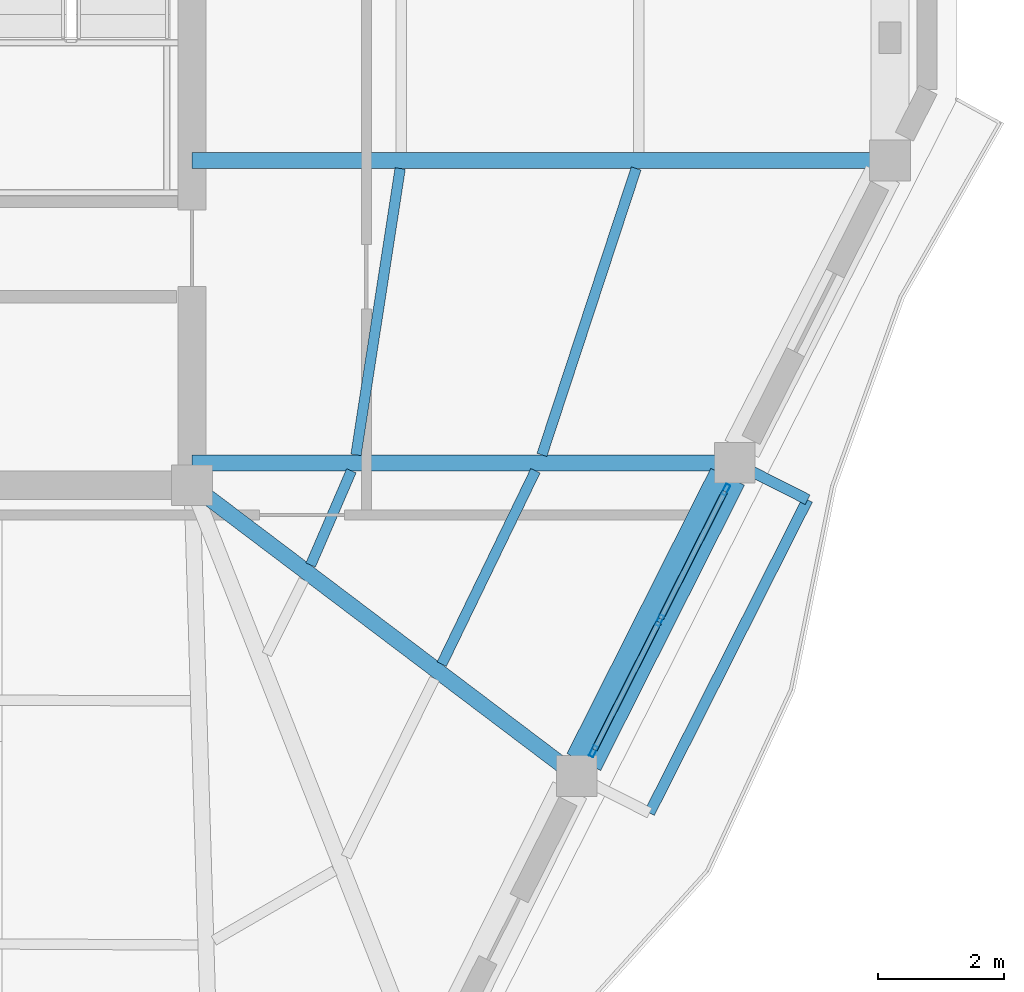
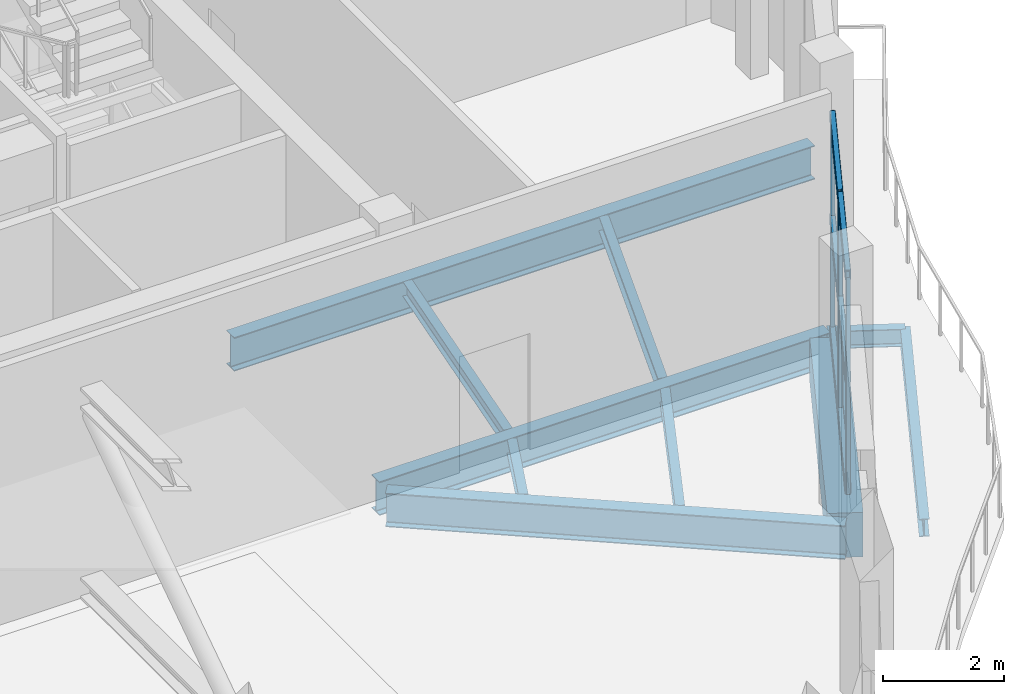
# One storey, part 10 of 23: 10 beams, 9 members, 1 element without a shape of its own.
"""IFC4 building model written with IfcOpenShell, lengths in metres."""

from ifc_helpers import new_model, si_unit, direction, frame, origin, origin_2d, place, context, subcontext, project, spatial, rectangle, hollow_rectangle, i_section, extrude, material, layer, layer_set, material_profile, profile_set, type_object, element, aggregate, save


model = new_model("IFC4")

# Units and contexts
model_context = context("Model", 3, precision=1e-05, world=origin(), true_north=direction((0.0, 1.0)))
body_context = subcontext(model_context, "Body", "Model", "MODEL_VIEW")
ifc_project = project(units=[si_unit("LENGTHUNIT", "METRE"), si_unit("AREAUNIT", "SQUARE_METRE"), si_unit("VOLUMEUNIT", "CUBIC_METRE"), si_unit("PLANEANGLEUNIT", "RADIAN"), si_unit("MASSUNIT", "GRAM", prefix="KILO")], contexts=[model_context])

# Site, building, storey
site_placement = place(None, origin())
site = spatial("IfcSite", under=ifc_project, at=site_placement, CompositionType="ELEMENT")
building_placement = place(site_placement, origin())
building = spatial("IfcBuilding", under=site, at=building_placement, Name="Cinnabar Lancet Tower", CompositionType="ELEMENT")
storey_placement = place(building_placement, frame((0.0, 0.0, 278.10009765625)))
storey = spatial("IfcBuildingStorey", under=building, at=storey_placement, Name="L74", CompositionType="ELEMENT", Elevation=278.10009765625)

# Curtain wall, members
ifc_material_1 = material(Name="Thermally broken bronze-anodized aluminium and low-E glass", Category="aluminium")
ifc_layer = layer(ifc_material_1, 0.179931640625)
ifc_layer_set = layer_set([ifc_layer], Name="Thermally broken bronze-anodized aluminium and low-E glass")
curtain_wall_type = type_object("IfcCurtainWallType", Name="ENV-CW-SYS-04", PredefinedType="NOTDEFINED", material=ifc_layer_set)
curtain_wall_placement = place(storey_placement, origin())
curtain_wall = element("IfcCurtainWall", 1, at=curtain_wall_placement, inside=storey, type_object=curtain_wall_type, Name="L74 Face 2 Feature Curtain Wall", PredefinedType="NOTDEFINED")
ifc_material_2 = material(Name="Anodized architectural aluminium 6063-T6", Category="aluminium")
ifc_material_profile_1 = material_profile(ifc_material_2, hollow_rectangle(XDim=0.074951171875, YDim=0.179931640625, WallThickness=0.00390625, InnerFilletRadius=0.001953125, OuterFilletRadius=0.006103515625, at=origin_2d()), Name="CW-MUL 180x75x4")
ifc_profile_set_1 = profile_set([ifc_material_profile_1], Name="Anodized architectural aluminium 6063-T6")
member_type_1 = type_object("IfcMemberType", Name="ENV-CW-MUL-180", PredefinedType="MULLION", material=ifc_profile_set_1)
member_1_placement = place(storey_placement, frame((48.015625, 14.439697265625, 0.0), z_axis=(0.0, 0.0, 1.0), x_axis=(-0.892344822897, 0.451354314314, 0.0)))
member_1 = element("IfcMember", 2, at=member_1_placement, type_object=member_type_1, Name="CW-04 mullion 1", PredefinedType="MULLION", context=body_context, shape_type="SweptSolid", body=[
    extrude(hollow_rectangle(XDim=0.074951171875, YDim=0.179931640625, WallThickness=0.00390625, InnerFilletRadius=0.001953125, OuterFilletRadius=0.006103515625, at=origin_2d()), origin(), (0.0, 0.0, 1.0), 4.389892578125),
])
member_2_placement = place(storey_placement, frame((49.069091796875, 16.5224609375, 0.0), z_axis=(0.0, 0.0, 1.0), x_axis=(-0.892344822897, 0.451354314314, 0.0)))
member_2 = element("IfcMember", 3, at=member_2_placement, type_object=member_type_1, Name="CW-04 mullion 2", PredefinedType="MULLION", context=body_context, shape_type="SweptSolid", body=[
    extrude(hollow_rectangle(XDim=0.074951171875, YDim=0.179931640625, WallThickness=0.00390625, InnerFilletRadius=0.001953125, OuterFilletRadius=0.006103515625, at=origin_2d()), origin(), (0.0, 0.0, 1.0), 4.389892578125),
])
member_3_placement = place(storey_placement, frame((50.12255859375, 18.605224609375, 0.0), z_axis=(0.0, 0.0, 1.0), x_axis=(-0.892344822897, 0.451354314314, 0.0)))
member_3 = element("IfcMember", 4, at=member_3_placement, type_object=member_type_1, Name="CW-04 mullion 3", PredefinedType="MULLION", context=body_context, shape_type="SweptSolid", body=[
    extrude(hollow_rectangle(XDim=0.074951171875, YDim=0.179931640625, WallThickness=0.00390625, InnerFilletRadius=0.001953125, OuterFilletRadius=0.006103515625, at=origin_2d()), origin(), (0.0, 0.0, 1.0), 4.389892578125),
])
ifc_material_3 = material(Name="Anodized architectural aluminium 6063-T6", Category="aluminium")
ifc_material_profile_2 = material_profile(ifc_material_3, hollow_rectangle(XDim=0.10009765625, YDim=0.199951171875, WallThickness=0.008056640625, InnerFilletRadius=0.00390625, OuterFilletRadius=0.011962890625, at=origin_2d()), Name="RHS 200x100x8")
ifc_profile_set_2 = profile_set([ifc_material_profile_2], Name="Anodized architectural aluminium 6063-T6")
member_type_2 = type_object("IfcMemberType", Name="ENV-CW-TRN-140", PredefinedType="USERDEFINED", material=ifc_profile_set_2)
member_4_placement = place(storey_placement, frame((48.029052734375, 14.466552734375, 0.02978515625), z_axis=(0.451331377237, 0.892356424262, 0.0), x_axis=(-0.892356424262, 0.451331377237, 0.0)))
member_4 = element("IfcMember", 5, at=member_4_placement, type_object=member_type_2, Name="CW-04 transom 1.1", ObjectType="TRANSOM", PredefinedType="USERDEFINED", context=body_context, shape_type="SweptSolid", body=[
    extrude(hollow_rectangle(XDim=0.10009765625, YDim=0.199951171875, WallThickness=0.008056640625, InnerFilletRadius=0.00390625, OuterFilletRadius=0.011962890625, at=origin_2d()), origin(), (0.0, 0.0, 1.0), 2.274169921875),
])
member_5_placement = place(storey_placement, frame((48.029052734375, 14.466552734375, 2.282958984375), z_axis=(0.451331377237, 0.892356424262, 0.0), x_axis=(-0.892356424262, 0.451331377237, 0.0)))
member_5 = element("IfcMember", 6, at=member_5_placement, type_object=member_type_2, Name="CW-04 transom 1.2", ObjectType="TRANSOM", PredefinedType="USERDEFINED", context=body_context, shape_type="SweptSolid", body=[
    extrude(hollow_rectangle(XDim=0.10009765625, YDim=0.199951171875, WallThickness=0.008056640625, InnerFilletRadius=0.00390625, OuterFilletRadius=0.011962890625, at=origin_2d()), origin(), (0.0, 0.0, 1.0), 2.274169921875),
])
member_6_placement = place(storey_placement, frame((48.029052734375, 14.466552734375, 4.35986328125), z_axis=(0.451331377237, 0.892356424262, 0.0), x_axis=(-0.892356424262, 0.451331377237, 0.0)))
member_6 = element("IfcMember", 7, at=member_6_placement, type_object=member_type_2, Name="CW-04 transom 1.3", ObjectType="TRANSOM", PredefinedType="USERDEFINED", context=body_context, shape_type="SweptSolid", body=[
    extrude(hollow_rectangle(XDim=0.10009765625, YDim=0.199951171875, WallThickness=0.008056640625, InnerFilletRadius=0.00390625, OuterFilletRadius=0.011962890625, at=origin_2d()), origin(), (0.0, 0.0, 1.0), 2.274169921875),
])
member_7_placement = place(storey_placement, frame((49.08251953125, 16.54931640625, 0.02978515625), z_axis=(0.45137461896, 0.892334552373, 0.0), x_axis=(-0.892334552373, 0.45137461896, 0.0)))
member_7 = element("IfcMember", 8, at=member_7_placement, type_object=member_type_2, Name="CW-04 transom 2.1", ObjectType="TRANSOM", PredefinedType="USERDEFINED", context=body_context, shape_type="SweptSolid", body=[
    extrude(hollow_rectangle(XDim=0.10009765625, YDim=0.199951171875, WallThickness=0.008056640625, InnerFilletRadius=0.00390625, OuterFilletRadius=0.011962890625, at=origin_2d()), origin(), (0.0, 0.0, 1.0), 2.27392578125),
])
member_8_placement = place(storey_placement, frame((49.08251953125, 16.54931640625, 2.282958984375), z_axis=(0.45137461896, 0.892334552373, 0.0), x_axis=(-0.892334552373, 0.45137461896, 0.0)))
member_8 = element("IfcMember", 9, at=member_8_placement, type_object=member_type_2, Name="CW-04 transom 2.2", ObjectType="TRANSOM", PredefinedType="USERDEFINED", context=body_context, shape_type="SweptSolid", body=[
    extrude(hollow_rectangle(XDim=0.10009765625, YDim=0.199951171875, WallThickness=0.008056640625, InnerFilletRadius=0.00390625, OuterFilletRadius=0.011962890625, at=origin_2d()), origin(), (0.0, 0.0, 1.0), 2.27392578125),
])
member_9_placement = place(storey_placement, frame((49.08251953125, 16.54931640625, 4.35986328125), z_axis=(0.45137461896, 0.892334552373, 0.0), x_axis=(-0.892334552373, 0.45137461896, 0.0)))
member_9 = element("IfcMember", 10, at=member_9_placement, type_object=member_type_2, Name="CW-04 transom 2.3", ObjectType="TRANSOM", PredefinedType="USERDEFINED", context=body_context, shape_type="SweptSolid", body=[
    extrude(hollow_rectangle(XDim=0.10009765625, YDim=0.199951171875, WallThickness=0.008056640625, InnerFilletRadius=0.00390625, OuterFilletRadius=0.011962890625, at=origin_2d()), origin(), (0.0, 0.0, 1.0), 2.27392578125),
])
aggregate(curtain_wall, [member_1, member_2, member_3, member_4, member_5, member_6, member_7, member_8, member_9])

# Beams
ifc_material_4 = material(Name="Structural steel S355", Category="steel")
ifc_material_profile_3 = material_profile(ifc_material_4, i_section(OverallWidth=0.1650390625, OverallDepth=0.303466796875, WebThickness=0.006103515625, FlangeThickness=0.01025390625, FilletRadius=0.0087890625, at=origin_2d()), Name="UKB 305x165x40")
ifc_profile_set_3 = profile_set([ifc_material_profile_3], Name="Structural steel S355")
beam_type_1 = type_object("IfcBeamType", Name="STR-BM-JST-305", PredefinedType="JOIST", material=ifc_profile_set_3)
beam_1_placement = place(storey_placement, frame((45.60107421875, 15.8291015625, -0.43212890625), z_axis=(0.436068518578, 0.899913466454, 0.0), x_axis=(-0.899913466454, 0.436068518578, 0.0)))
element("IfcBeam", 11, at=beam_1_placement, inside=storey, type_object=beam_type_1, Name="L74 Secondary Floor Joist 17", PredefinedType="JOIST", context=body_context, shape_type="SweptSolid", body=[
    extrude(i_section(OverallWidth=0.1650390625, OverallDepth=0.303466796875, WebThickness=0.006103515625, FlangeThickness=0.01025390625, FilletRadius=0.0087890625, at=origin_2d()), origin(), (0.0, 0.0, 1.0), 3.419189453125),
])
beam_2_placement = place(storey_placement, frame((43.513916015625, 17.406005859375, -0.43212890625), z_axis=(0.39667640733, 0.917958510973, 0.0), x_axis=(-0.917958510973, 0.39667640733, 0.0)))
element("IfcBeam", 12, at=beam_2_placement, inside=storey, type_object=beam_type_1, Name="L74 Secondary Floor Joist 18", PredefinedType="JOIST", context=body_context, shape_type="SweptSolid", body=[
    extrude(i_section(OverallWidth=0.1650390625, OverallDepth=0.303466796875, WebThickness=0.006103515625, FlangeThickness=0.01025390625, FilletRadius=0.0087890625, at=origin_2d()), origin(), (0.0, 0.0, 1.0), 1.634033203125),
])
beam_3_placement = place(storey_placement, frame((47.196044921875, 19.159912109375, -0.43212890625), z_axis=(0.312409135154, 0.949947647122, 0.0), x_axis=(-0.949947647122, 0.312409135154, 0.0)))
element("IfcBeam", 13, at=beam_3_placement, inside=storey, type_object=beam_type_1, Name="L74 Secondary Floor Joist 19", PredefinedType="JOIST", context=body_context, shape_type="SweptSolid", body=[
    extrude(i_section(OverallWidth=0.1650390625, OverallDepth=0.303466796875, WebThickness=0.006103515625, FlangeThickness=0.01025390625, FilletRadius=0.0087890625, at=origin_2d()), origin(), (0.0, 0.0, 1.0), 4.79833984375),
])
beam_4_placement = place(storey_placement, frame((44.236083984375, 19.159912109375, -0.43212890625), z_axis=(0.152403249004, 0.988318394898, 0.0), x_axis=(-0.988318394898, 0.152403249004, 0.0)))
element("IfcBeam", 14, at=beam_4_placement, inside=storey, type_object=beam_type_1, Name="L74 Secondary Floor Joist 20", PredefinedType="JOIST", context=body_context, shape_type="SweptSolid", body=[
    extrude(i_section(OverallWidth=0.1650390625, OverallDepth=0.303466796875, WebThickness=0.006103515625, FlangeThickness=0.01025390625, FilletRadius=0.0087890625, at=origin_2d()), origin(), (0.0, 0.0, 1.0), 4.612060546875),
])
ifc_material_5 = material(Name="Concrete C60/75", Category="concrete")
ifc_material_profile_4 = material_profile(ifc_material_5, rectangle(XDim=0.60009765625, YDim=0.89990234375, at=origin_2d()), Name="RC-SB 600x900")
ifc_profile_set_4 = profile_set([ifc_material_profile_4], Name="Concrete C60/75")
beam_type_2 = type_object("IfcBeamType", Name="STR-BM-RCSB-900", PredefinedType="SPANDREL", material=ifc_profile_set_4)
beam_5_placement = place(storey_placement, frame((47.862060546875, 14.26904296875, -0.72998046875), z_axis=(0.450091864122, 0.892982258419, 0.0), x_axis=(-0.892982258419, 0.450091864122, 0.0)))
element("IfcBeam", 15, at=beam_5_placement, inside=storey, type_object=beam_type_2, Name="L74 Perimeter Spandrel 6", PredefinedType="SPANDREL", context=body_context, shape_type="SweptSolid", body=[
    extrude(rectangle(XDim=0.60009765625, YDim=0.89990234375, at=origin_2d()), origin(), (0.0, 0.0, 1.0), 5.085205078125),
])
ifc_material_6 = material(Name="Structural steel S355", Category="steel")
ifc_material_profile_5 = material_profile(ifc_material_6, i_section(OverallWidth=0.253662109375, OverallDepth=0.68359375, WebThickness=0.012451171875, FlangeThickness=0.01904296875, FilletRadius=0.01513671875, at=origin_2d()), Name="UKB 686x254x140")
ifc_profile_set_5 = profile_set([ifc_material_profile_5], Name="Structural steel S355")
beam_type_3 = type_object("IfcBeamType", Name="STR-BM-UKB686-140", PredefinedType="BEAM", material=ifc_profile_set_5)
beam_6_placement = place(storey_placement, frame((47.7490234375, 14.0458984375, -0.6220703125), z_axis=(-0.797735075719, 0.603008083667, 0.0), x_axis=(-0.603008083667, -0.797735075719, 0.0)))
element("IfcBeam", 16, at=beam_6_placement, inside=storey, type_object=beam_type_3, Name="L74 Corner Collector Girder 2", PredefinedType="BEAM", context=body_context, shape_type="SweptSolid", body=[
    extrude(i_section(OverallWidth=0.253662109375, OverallDepth=0.68359375, WebThickness=0.012451171875, FlangeThickness=0.01904296875, FilletRadius=0.01513671875, at=origin_2d()), origin(), (0.0, 0.0, 1.0), 7.6767578125),
])
beam_7_placement = place(storey_placement, frame((50.263916015625, 19.032958984375, -0.6220703125), z_axis=(-1.0, 0.0, 0.0), x_axis=(0.0, -1.0, 0.0)))
element("IfcBeam", 17, at=beam_7_placement, inside=storey, type_object=beam_type_3, Name="L74 Primary Floor Girder 7", PredefinedType="BEAM", context=body_context, shape_type="SweptSolid", body=[
    extrude(i_section(OverallWidth=0.253662109375, OverallDepth=0.68359375, WebThickness=0.012451171875, FlangeThickness=0.01904296875, FilletRadius=0.01513671875, at=origin_2d()), origin(), (0.0, 0.0, 1.0), 8.638916015625),
])
beam_8_placement = place(storey_placement, frame((52.737060546875, 23.844970703125, -0.6220703125), z_axis=(-1.0, 0.0, 0.0), x_axis=(0.0, -1.0, 0.0)))
element("IfcBeam", 18, at=beam_8_placement, inside=storey, type_object=beam_type_3, Name="L74 Primary Floor Girder 8", PredefinedType="BEAM", context=body_context, shape_type="SweptSolid", body=[
    extrude(i_section(OverallWidth=0.253662109375, OverallDepth=0.68359375, WebThickness=0.012451171875, FlangeThickness=0.01904296875, FilletRadius=0.01513671875, at=origin_2d()), origin(), (0.0, 0.0, 1.0), 11.112060546875),
])
ifc_material_7 = material(Name="Structural steel S355", Category="steel")
ifc_material_profile_6 = material_profile(ifc_material_7, i_section(OverallWidth=0.17138671875, OverallDepth=0.35498046875, WebThickness=0.00732421875, FlangeThickness=0.011474609375, FilletRadius=0.01025390625, at=origin_2d()), Name="UKB 356x171x51")
ifc_profile_set_6 = profile_set([ifc_material_profile_6], Name="Structural steel S355")
beam_type_4 = type_object("IfcBeamType", Name="STR-BM-WAV-OUT", PredefinedType="BEAM", material=ifc_profile_set_6)
beam_9_placement = place(storey_placement, frame((50.263916015625, 19.032958984375, -0.4580078125), z_axis=(0.892314203325, -0.451414845285, 0.0), x_axis=(0.451414845285, 0.892314203325, 0.0)))
element("IfcBeam", 19, at=beam_9_placement, inside=storey, type_object=beam_type_4, Name="L74 Face 2 Balcony Outlooker B", PredefinedType="BEAM", context=body_context, shape_type="SweptSolid", body=[
    extrude(i_section(OverallWidth=0.17138671875, OverallDepth=0.35498046875, WebThickness=0.00732421875, FlangeThickness=0.011474609375, FilletRadius=0.01025390625, at=origin_2d()), origin(), (0.0, 0.0, 1.0), 1.300048828125),
])
ifc_material_8 = material(Name="Structural steel S355", Category="steel")
ifc_material_profile_7 = material_profile(ifc_material_8, i_section(OverallWidth=0.17138671875, OverallDepth=0.35498046875, WebThickness=0.00732421875, FlangeThickness=0.011474609375, FilletRadius=0.01025390625, at=origin_2d()), Name="UKB 356x171x51")
ifc_profile_set_7 = profile_set([ifc_material_profile_7], Name="Structural steel S355")
beam_type_5 = type_object("IfcBeamType", Name="STR-BM-WAV-TRIM", PredefinedType="SPANDREL", material=ifc_profile_set_7)
beam_10_placement = place(storey_placement, frame((48.908935546875, 13.458984375, -0.4580078125), z_axis=(0.450305622338, 0.892874485295, 0.0), x_axis=(-0.892874485295, 0.450305622338, 0.0)))
element("IfcBeam", 20, at=beam_10_placement, inside=storey, type_object=beam_type_5, Name="L74 Face 2 Balcony Edge Trimmer", PredefinedType="SPANDREL", context=body_context, shape_type="SweptSolid", body=[
    extrude(i_section(OverallWidth=0.17138671875, OverallDepth=0.35498046875, WebThickness=0.00732421875, FlangeThickness=0.011474609375, FilletRadius=0.01025390625, at=origin_2d()), origin(), (0.0, 0.0, 1.0), 5.58544921875),
])

save(model, "model.ifc")
